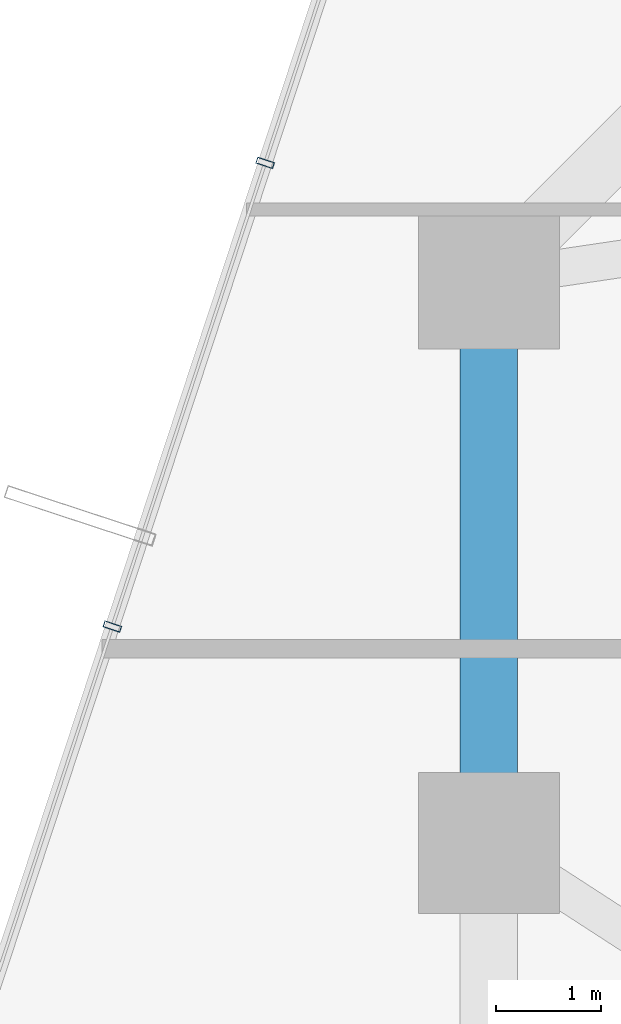
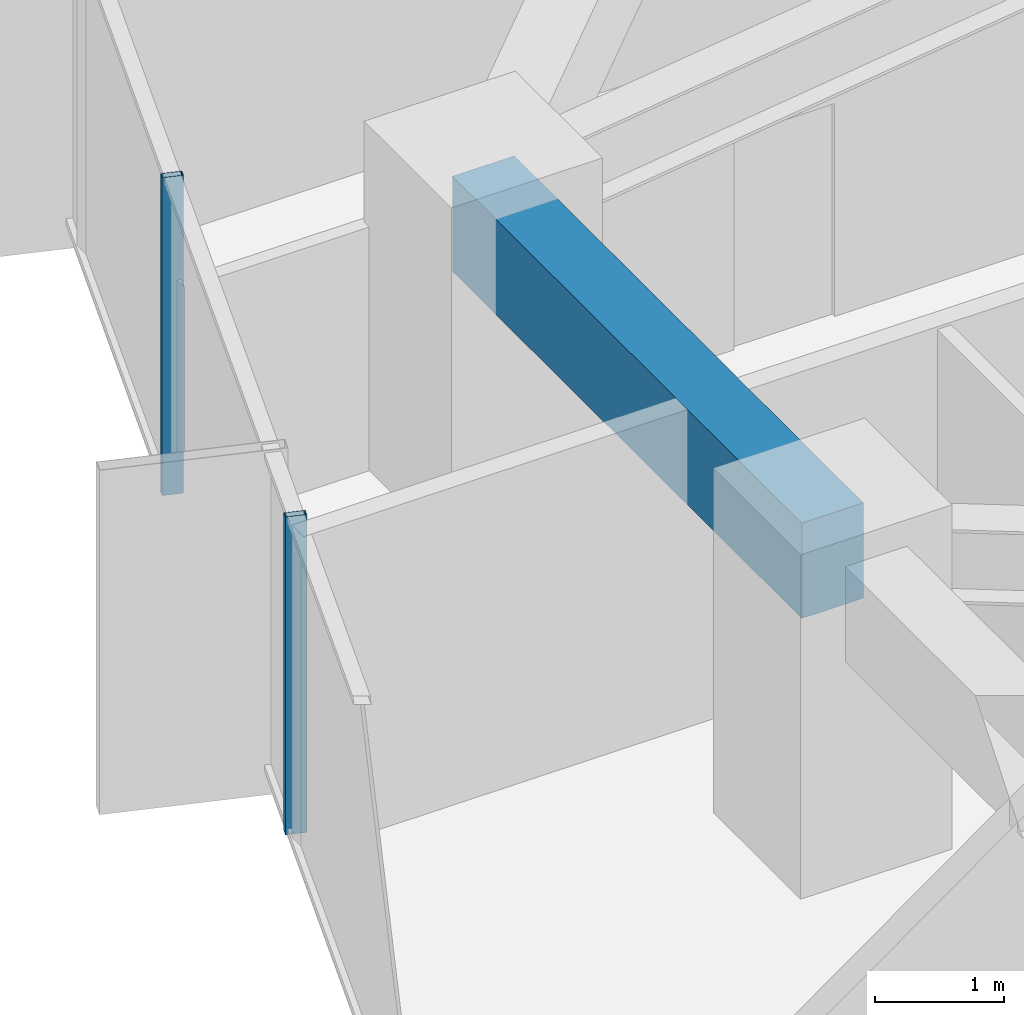
# One storey, part 12 of 38: 2 members, 1 beam, 1 element without a shape of its own.
"""IFC4 building model written with IfcOpenShell, lengths in metres."""

from ifc_helpers import new_model, si_unit, direction, frame, origin, origin_2d, place, context, subcontext, project, spatial, rectangle, hollow_rectangle, extrude, source, transform, mapped, material, layer, layer_set, material_profile, profile_set, type_object, element, aggregate, save


model = new_model("IFC4")

# Units and contexts
model_context = context("Model", 3, precision=1e-05, world=origin(), true_north=direction((0.0, 1.0)))
body_context = subcontext(model_context, "Body", "Model", "MODEL_VIEW")
ifc_project = project(units=[si_unit("LENGTHUNIT", "METRE"), si_unit("AREAUNIT", "SQUARE_METRE"), si_unit("VOLUMEUNIT", "CUBIC_METRE"), si_unit("PLANEANGLEUNIT", "RADIAN"), si_unit("MASSUNIT", "GRAM", prefix="KILO")], contexts=[model_context])

# Site, building, storey
site_placement = place(None, origin())
site = spatial("IfcSite", under=ifc_project, at=site_placement, CompositionType="ELEMENT")
building_placement = place(site_placement, origin())
building = spatial("IfcBuilding", under=site, at=building_placement, Name="Veraguas Prism Commons", CompositionType="ELEMENT")
storey_placement = place(building_placement, frame((0.0, 0.0, 64.10009765625)))
storey = spatial("IfcBuildingStorey", under=building, at=storey_placement, Name="L17", CompositionType="ELEMENT", Elevation=64.10009765625)

# Beam
ifc_material_1 = material(Name="Concrete C50/60", Category="concrete")
ifc_material_profile_1 = material_profile(ifc_material_1, rectangle(XDim=0.550048828125, YDim=0.89990234375, at=origin_2d()), Name="RC550X900")
ifc_profile_set_1 = profile_set([ifc_material_profile_1], Name="Concrete C50/60")
beam_type = type_object("IfcBeamType", Name="Perimeter Spandrel Lower RC 550x900", PredefinedType="SPANDREL", material=ifc_profile_set_1)
beam_placement = place(storey_placement, frame((6.39990234375, 29.39990234375, 2.5498046875), z_axis=(0.0, -1.0, 0.0), x_axis=(1.0, 0.0, 0.0)))
element("IfcBeam", 1, at=beam_placement, inside=storey, type_object=beam_type, Name="Perimeter Spandrel Beam L17-SP07", PredefinedType="SPANDREL", context=body_context, shape_type="SweptSolid", body=[
    extrude(rectangle(XDim=0.550048828125, YDim=0.89990234375, at=origin_2d()), origin(), (0.0, 0.0, 1.0), 5.39990234375),
])

# Curtain wall, members
ifc_material_2 = material(Name="Anodised aluminium EN AW-6063 T6", Category="aluminium")
ifc_layer = layer(ifc_material_2, 0.169921875, Name="Unitised Flush Curtain Wall Zone 1", Category="aluminium")
ifc_layer_set = layer_set([ifc_layer], Name="Anodised aluminium EN AW-6063 T6")
curtain_wall_type = type_object("IfcCurtainWallType", Name="Unitised Flush Curtain Wall Zone 1", PredefinedType="NOTDEFINED", material=ifc_layer_set)
curtain_wall_placement = place(storey_placement, origin())
curtain_wall = element("IfcCurtainWall", 2, at=curtain_wall_placement, inside=storey, type_object=curtain_wall_type, Name="Tower Facade Curtain Wall L17-F3", PredefinedType="NOTDEFINED")
ifc_material_profile_2 = material_profile(ifc_material_2, hollow_rectangle(XDim=0.06005859375, YDim=0.169921875, WallThickness=0.00390625, at=origin_2d()), Name="AL60X170X4")
ifc_profile_set_2 = profile_set([ifc_material_profile_2], Name="Anodised aluminium EN AW-6063 T6")
member_type = type_object("IfcMemberType", Name="Curtain Wall Mullion Lower AL 60x170x4", PredefinedType="MULLION", material=ifc_profile_set_2)
shared_shape = source(origin(), body_context, "Body", "SweptSolid", [
    extrude(hollow_rectangle(XDim=0.06005859375, YDim=0.169921875, WallThickness=0.00390625, at=origin_2d()), origin(), (0.0, 0.0, 1.0), 3.0),
])
member_1_placement = place(storey_placement, frame((4.259765625, 30.505615234375, 0.0), z_axis=(0.0, 0.0, 1.0), x_axis=(-0.312991417409, -0.949755954248, 0.0)))
member_1 = element("IfcMember", 3, at=member_1_placement, type_object=member_type, Name="CW-Z1 Mullion 3", PredefinedType="MULLION", context=body_context, shape_type="MappedRepresentation", body=[
    mapped(shared_shape, transform((0.0, 0.0, 0.0), scale=1.0)),
])
member_2_placement = place(storey_placement, frame((2.7978515625, 26.0693359375, 0.0), z_axis=(0.0, 0.0, 1.0), x_axis=(-0.312991417409, -0.949755954248, 0.0)))
member_2 = element("IfcMember", 4, at=member_2_placement, type_object=member_type, Name="CW-Z1 Mullion 4", PredefinedType="MULLION", context=body_context, shape_type="MappedRepresentation", body=[
    mapped(shared_shape, transform((0.0, 0.0, 0.0), scale=1.0)),
])
aggregate(curtain_wall, [member_1, member_2])

save(model, "model.ifc")
